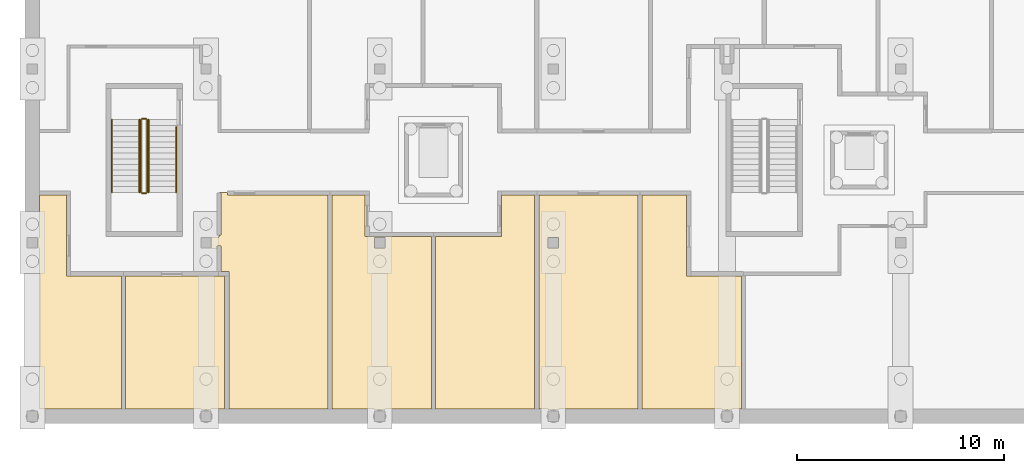
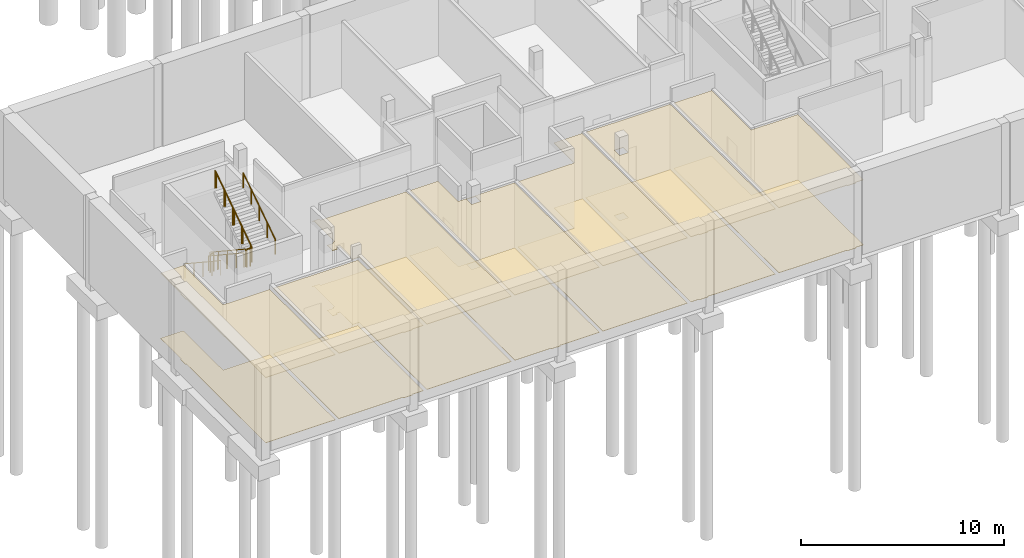
# One storey, part 19 of 33: 14 coverings, 8 railings.
"""IFC4 building model written with IfcOpenShell, lengths in metres."""

from ifc_helpers import new_model, si_unit, direction, frame, origin, origin_2d, place, context, subcontext, project, spatial, polyline, circle, outline, extrude, material, layer, layer_set, type_object, element, save


model = new_model("IFC4")

# Units and contexts
model_context = context("Model", 3, precision=1e-05, world=origin(), true_north=direction((0.0, 1.0)))
body_context = subcontext(model_context, "Body", "Model", "MODEL_VIEW")
ifc_project = project(units=[si_unit("LENGTHUNIT", "METRE"), si_unit("AREAUNIT", "SQUARE_METRE"), si_unit("VOLUMEUNIT", "CUBIC_METRE"), si_unit("PLANEANGLEUNIT", "RADIAN"), si_unit("MASSUNIT", "GRAM", prefix="KILO")], contexts=[model_context])

# Site, building, storey
site_placement = place(None, origin())
site = spatial("IfcSite", under=ifc_project, at=site_placement, CompositionType="ELEMENT")
building_placement = place(site_placement, origin())
building = spatial("IfcBuilding", under=site, at=building_placement, Name="Larchfold Concert Hall", CompositionType="ELEMENT")
storey_placement = place(building_placement, frame((0.0, 0.0, -5.0)))
storey = spatial("IfcBuildingStorey", under=building, at=storey_placement, Name="B1", CompositionType="ELEMENT", Elevation=-5.0)

# Coverings
ifc_material_1 = material(Name="Plasterboard ceiling lining")
ifc_layer_1 = layer(ifc_material_1, 0.030029296875)
ifc_layer_set_1 = layer_set([ifc_layer_1], Name="Plasterboard ceiling lining")
covering_type_1 = type_object("IfcCoveringType", Name="Ceiling suspended plasterboard 30", PredefinedType="CEILING", material=ifc_layer_set_1)
covering_1_placement = place(storey_placement, frame((0.0, 0.0, 3.91015625)))
element("IfcCovering", 1, at=covering_1_placement, inside=storey, type_object=covering_type_1, Name="Ceiling Practice Room 01", PredefinedType="CEILING", context=body_context, shape_type="SweptSolid", body=[
    extrude(outline(polyline([(0.9501953125, 9.25), (0.900146484375, 9.25), (0.900146484375, 8.75), (0.9501953125, 8.75), (0.9501953125, 0.9501953125), (4.89990234375, 0.9501953125), (4.89990234375, 7.39990234375), (2.25, 7.39990234375), (2.25, 11.2998046875), (0.9501953125, 11.2998046875), (0.9501953125, 9.25)])), origin(), (0.0, 0.0, 1.0), 0.030029296875),
])
covering_2_placement = place(storey_placement, frame((0.0, 0.0, 3.91015625)))
element("IfcCovering", 2, at=covering_2_placement, inside=storey, type_object=covering_type_1, Name="Ceiling Practice Room 04", PredefinedType="CEILING", context=body_context, shape_type="SweptSolid", body=[
    extrude(outline(polyline([(16.699951171875, 9.300048828125), (16.699951171875, 11.2998046875), (15.10009765625, 11.2998046875), (15.10009765625, 0.9501953125), (17.14990234375, 0.9501953125), (17.14990234375, 0.900146484375), (17.64990234375, 0.900146484375), (17.64990234375, 0.9501953125), (19.89990234375, 0.9501953125), (19.89990234375, 9.2998046875), (16.699951171875, 9.300048828125)]), holes=[polyline([(17.64990234375, 9.25), (17.64990234375, 8.75), (17.14990234375, 8.75), (17.14990234375, 9.25), (17.64990234375, 9.25)])]), origin(), (0.0, 0.0, 1.0), 0.030029296875),
])
covering_3_placement = place(storey_placement, frame((0.0, 0.0, 3.91015625)))
element("IfcCovering", 3, at=covering_3_placement, inside=storey, type_object=covering_type_1, Name="Ceiling Practice Room 07", PredefinedType="CEILING", context=body_context, shape_type="SweptSolid", body=[
    extrude(outline(polyline([(33.949951171875, 0.9501953125), (33.949951171875, 0.900146484375), (34.449951171875, 0.900146484375), (34.449951171875, 0.9501953125), (34.89990234375, 0.9501953125), (34.89990234375, 7.39990234375), (32.25, 7.39990234375), (32.25, 11.2998046875), (30.10009765625, 11.2998046875), (30.10009765625, 0.9501953125), (33.949951171875, 0.9501953125)])), origin(), (0.0, 0.0, 1.0), 0.030029296875),
])
covering_4_placement = place(storey_placement, frame((0.0, 0.0, 3.91015625)))
element("IfcCovering", 4, at=covering_4_placement, inside=storey, type_object=covering_type_1, Name="Ceiling Practice Room 02", PredefinedType="CEILING", context=body_context, shape_type="SweptSolid", body=[
    extrude(outline(polyline([(5.10009765625, 7.39990234375), (5.10009765625, 0.9501953125), (8.75, 0.9501953125), (8.75, 0.900146484375), (9.25, 0.900146484375), (9.25, 0.9501953125), (9.89990234375, 0.9501953125), (9.89990234375, 7.39990234375), (9.60009765625, 7.39990234375), (9.59912109375, 7.50048828125), (9.59912109375, 7.39990234375), (5.10009765625, 7.39990234375)])), origin(), (0.0, 0.0, 1.0), 0.030029296875),
])
covering_5_placement = place(storey_placement, frame((0.0, 0.0, 3.91015625)))
element("IfcCovering", 5, at=covering_5_placement, inside=storey, type_object=covering_type_1, Name="Ceiling Practice Room 03", PredefinedType="CEILING", context=body_context, shape_type="SweptSolid", body=[
    extrude(outline(polyline([(9.620361328125, 7.60009765625), (10.10009765625, 7.60009765625), (10.10009765625, 0.9501953125), (14.89990234375, 0.9501953125), (14.89990234375, 11.2998046875), (10.029052734375, 11.2998046875), (10.029052734375, 11.39990234375), (10.0, 11.4208984375), (9.650146484375, 11.4208984375), (9.623779296875, 11.405029296875), (9.72412109375, 11.40478515625), (9.72021484375, 9.369873046875), (9.619873046875, 9.3701171875), (9.61962890625, 9.27001953125), (9.24853515625, 9.27001953125), (9.21240234375, 9.2529296875), (9.25, 9.25), (9.25, 8.75), (9.211181640625, 8.75), (9.24365234375, 8.73046875), (9.51904296875, 8.730224609375), (9.518798828125, 8.830078125), (9.718994140625, 8.830078125), (9.719970703125, 7.60205078125), (9.620361328125, 7.60009765625)])), origin(), (0.0, 0.0, 1.0), 0.030029296875),
])
covering_6_placement = place(storey_placement, frame((0.0, 0.0, 3.91015625)))
element("IfcCovering", 6, at=covering_6_placement, inside=storey, type_object=covering_type_1, Name="Ceiling Practice Room 05", PredefinedType="CEILING", context=body_context, shape_type="SweptSolid", body=[
    extrude(outline(polyline([(23.300048828125, 9.2998046875), (20.10009765625, 9.2998046875), (20.10009765625, 0.9501953125), (24.89990234375, 0.9501953125), (24.89990234375, 11.2998046875), (23.300048828125, 11.2998046875), (23.300048828125, 9.2998046875)])), origin(), (0.0, 0.0, 1.0), 0.030029296875),
])
covering_7_placement = place(storey_placement, frame((0.0, 0.0, 3.91015625)))
element("IfcCovering", 7, at=covering_7_placement, inside=storey, type_object=covering_type_1, Name="Ceiling Practice Room 06", PredefinedType="CEILING", context=body_context, shape_type="SweptSolid", body=[
    extrude(outline(polyline([(25.550048828125, 0.900146484375), (26.050048828125, 0.900146484375), (26.050048828125, 0.9501953125), (29.89990234375, 0.9501953125), (29.89990234375, 11.2998046875), (25.10009765625, 11.2998046875), (25.10009765625, 0.9501953125), (25.550048828125, 0.9501953125), (25.550048828125, 0.900146484375)]), holes=[polyline([(26.050048828125, 9.25), (26.050048828125, 8.75), (25.550048828125, 8.75), (25.550048828125, 9.25), (26.050048828125, 9.25)])]), origin(), (0.0, 0.0, 1.0), 0.030029296875),
])
ifc_material_2 = material(Name="Linoleum sheet")
ifc_layer_2 = layer(ifc_material_2, 0.02001953125)
ifc_layer_set_2 = layer_set([ifc_layer_2], Name="Linoleum sheet")
covering_type_2 = type_object("IfcCoveringType", Name="Floor finish vinyl 20", PredefinedType="FLOORING", material=ifc_layer_set_2)
covering_8_placement = place(storey_placement, origin())
element("IfcCovering", 8, at=covering_8_placement, inside=storey, type_object=covering_type_2, Name="Floor finish Practice Room 01", PredefinedType="FLOORING", context=body_context, shape_type="SweptSolid", body=[
    extrude(outline(polyline([(0.9501953125, 9.25), (0.900146484375, 9.25), (0.900146484375, 8.75), (0.9501953125, 8.75), (0.9501953125, 0.9501953125), (4.89990234375, 0.9501953125), (4.89990234375, 7.39990234375), (2.25, 7.39990234375), (2.25, 11.2998046875), (0.9501953125, 11.2998046875), (0.9501953125, 9.25)])), origin(), (0.0, 0.0, 1.0), 0.02001953125),
])
covering_9_placement = place(storey_placement, origin())
element("IfcCovering", 9, at=covering_9_placement, inside=storey, type_object=covering_type_2, Name="Floor finish Practice Room 04", PredefinedType="FLOORING", context=body_context, shape_type="SweptSolid", body=[
    extrude(outline(polyline([(16.699951171875, 9.300048828125), (16.699951171875, 11.2998046875), (15.10009765625, 11.2998046875), (15.10009765625, 0.9501953125), (17.14990234375, 0.9501953125), (17.14990234375, 0.900146484375), (17.64990234375, 0.900146484375), (17.64990234375, 0.9501953125), (19.89990234375, 0.9501953125), (19.89990234375, 9.2998046875), (16.699951171875, 9.300048828125)]), holes=[polyline([(17.64990234375, 9.25), (17.64990234375, 8.75), (17.14990234375, 8.75), (17.14990234375, 9.25), (17.64990234375, 9.25)])]), origin(), (0.0, 0.0, 1.0), 0.02001953125),
])
covering_10_placement = place(storey_placement, origin())
element("IfcCovering", 10, at=covering_10_placement, inside=storey, type_object=covering_type_2, Name="Floor finish Practice Room 07", PredefinedType="FLOORING", context=body_context, shape_type="SweptSolid", body=[
    extrude(outline(polyline([(33.949951171875, 0.9501953125), (33.949951171875, 0.900146484375), (34.449951171875, 0.900146484375), (34.449951171875, 0.9501953125), (34.89990234375, 0.9501953125), (34.89990234375, 7.39990234375), (32.25, 7.39990234375), (32.25, 11.2998046875), (30.10009765625, 11.2998046875), (30.10009765625, 0.9501953125), (33.949951171875, 0.9501953125)])), origin(), (0.0, 0.0, 1.0), 0.02001953125),
])
covering_11_placement = place(storey_placement, origin())
element("IfcCovering", 11, at=covering_11_placement, inside=storey, type_object=covering_type_2, Name="Floor finish Practice Room 02", PredefinedType="FLOORING", context=body_context, shape_type="SweptSolid", body=[
    extrude(outline(polyline([(5.10009765625, 7.39990234375), (5.10009765625, 0.9501953125), (8.75, 0.9501953125), (8.75, 0.900146484375), (9.25, 0.900146484375), (9.25, 0.9501953125), (9.89990234375, 0.9501953125), (9.89990234375, 7.39990234375), (9.60009765625, 7.39990234375), (9.59912109375, 7.50048828125), (9.59912109375, 7.39990234375), (5.10009765625, 7.39990234375)])), origin(), (0.0, 0.0, 1.0), 0.02001953125),
])
covering_12_placement = place(storey_placement, origin())
element("IfcCovering", 12, at=covering_12_placement, inside=storey, type_object=covering_type_2, Name="Floor finish Practice Room 03", PredefinedType="FLOORING", context=body_context, shape_type="SweptSolid", body=[
    extrude(outline(polyline([(9.620361328125, 7.60009765625), (10.10009765625, 7.60009765625), (10.10009765625, 0.9501953125), (14.89990234375, 0.9501953125), (14.89990234375, 11.2998046875), (10.029052734375, 11.2998046875), (10.029052734375, 11.39990234375), (10.0, 11.4208984375), (9.650146484375, 11.4208984375), (9.623779296875, 11.405029296875), (9.72412109375, 11.40478515625), (9.72021484375, 9.369873046875), (9.619873046875, 9.3701171875), (9.61962890625, 9.27001953125), (9.24853515625, 9.27001953125), (9.21240234375, 9.2529296875), (9.25, 9.25), (9.25, 8.75), (9.211181640625, 8.75), (9.24365234375, 8.73046875), (9.51904296875, 8.730224609375), (9.518798828125, 8.830078125), (9.718994140625, 8.830078125), (9.719970703125, 7.60205078125), (9.620361328125, 7.60009765625)])), origin(), (0.0, 0.0, 1.0), 0.02001953125),
])
covering_13_placement = place(storey_placement, origin())
element("IfcCovering", 13, at=covering_13_placement, inside=storey, type_object=covering_type_2, Name="Floor finish Practice Room 05", PredefinedType="FLOORING", context=body_context, shape_type="SweptSolid", body=[
    extrude(outline(polyline([(23.300048828125, 9.2998046875), (20.10009765625, 9.2998046875), (20.10009765625, 0.9501953125), (24.89990234375, 0.9501953125), (24.89990234375, 11.2998046875), (23.300048828125, 11.2998046875), (23.300048828125, 9.2998046875)])), origin(), (0.0, 0.0, 1.0), 0.02001953125),
])
covering_14_placement = place(storey_placement, origin())
element("IfcCovering", 14, at=covering_14_placement, inside=storey, type_object=covering_type_2, Name="Floor finish Practice Room 06", PredefinedType="FLOORING", context=body_context, shape_type="SweptSolid", body=[
    extrude(outline(polyline([(25.550048828125, 0.900146484375), (26.050048828125, 0.900146484375), (26.050048828125, 0.9501953125), (29.89990234375, 0.9501953125), (29.89990234375, 11.2998046875), (25.10009765625, 11.2998046875), (25.10009765625, 0.9501953125), (25.550048828125, 0.9501953125), (25.550048828125, 0.900146484375)]), holes=[polyline([(26.050048828125, 9.25), (26.050048828125, 8.75), (25.550048828125, 8.75), (25.550048828125, 9.25), (26.050048828125, 9.25)])]), origin(), (0.0, 0.0, 1.0), 0.02001953125),
])

# Railings
ifc_material_3 = material(Name="Stainless steel balustrade", Category="steel")
railing_type_1 = type_object("IfcRailingType", Name="Stair guard 1100", PredefinedType="GUARDRAIL", material=ifc_material_3)
railing_1_placement = place(storey_placement, frame((5.849853515625, 14.949951171875, 0.178466796875)))
element("IfcRailing", 15, at=railing_1_placement, inside=storey, type_object=railing_type_1, Name="Guard GR0045", PredefinedType="GUARDRAIL", context=body_context, shape_type="SweptSolid", body=[
    extrude(circle(Radius=0.02392578125, at=origin_2d()), frame((0.0, 0.0, 1.076171875), z_axis=(0.0, -0.834070780157, 0.551657442339), x_axis=(1.0, 0.0, 0.0)), (0.0, 0.0, 1.0), 4.208251953125),
    extrude(circle(Radius=0.02099609375, at=origin_2d()), origin(), (0.0, 0.0, 1.0), 1.052001953125),
    extrude(circle(Radius=0.02099609375, at=origin_2d()), frame((0.0, -0.87744140625, 0.580322265625)), (0.0, 0.0, 1.0), 1.052001953125),
    extrude(circle(Radius=0.02099609375, at=origin_2d()), frame((0.0, -1.7548828125, 1.16064453125)), (0.0, 0.0, 1.0), 1.052001953125),
    extrude(circle(Radius=0.02099609375, at=origin_2d()), frame((0.0, -2.632568359375, 1.7412109375)), (0.0, 0.0, 1.0), 1.052001953125),
    extrude(circle(Radius=0.02099609375, at=origin_2d()), frame((0.0, -3.510009765625, 2.321533203125)), (0.0, 0.0, 1.0), 1.052001953125),
])
railing_2_placement = place(storey_placement, frame((5.89990234375, 11.389892578125, 2.5)))
element("IfcRailing", 16, at=railing_2_placement, inside=storey, type_object=railing_type_1, Name="Guard GR0046", PredefinedType="GUARDRAIL", context=body_context, shape_type="SweptSolid", body=[
    extrude(circle(Radius=0.02392578125, at=origin_2d()), frame((0.0, 0.0, 1.076171875), z_axis=(1.0, 0.0, 0.0), x_axis=(0.0, 1.0, 0.0)), (0.0, 0.0, 1.0), 0.199951171875),
    extrude(circle(Radius=0.02099609375, at=origin_2d()), origin(), (0.0, 0.0, 1.0), 1.052001953125),
    extrude(circle(Radius=0.02099609375, at=origin_2d()), frame((0.199951171875, 0.0, 0.0)), (0.0, 0.0, 1.0), 1.052001953125),
])
railing_3_placement = place(storey_placement, frame((6.14990234375, 11.43994140625, 2.678466796875)))
element("IfcRailing", 17, at=railing_3_placement, inside=storey, type_object=railing_type_1, Name="Guard GR0047", PredefinedType="GUARDRAIL", context=body_context, shape_type="SweptSolid", body=[
    extrude(circle(Radius=0.02392578125, at=origin_2d()), frame((0.0, 0.0, 1.076171875), z_axis=(0.0, 0.834070780157, 0.551657442339), x_axis=(-1.0, 0.0, 0.0)), (0.0, 0.0, 1.0), 4.208251953125),
    extrude(circle(Radius=0.02099609375, at=origin_2d()), origin(), (0.0, 0.0, 1.0), 1.052001953125),
    extrude(circle(Radius=0.02099609375, at=origin_2d()), frame((0.0, 0.87744140625, 0.580322265625)), (0.0, 0.0, 1.0), 1.052001953125),
    extrude(circle(Radius=0.02099609375, at=origin_2d()), frame((0.0, 1.7548828125, 1.16064453125)), (0.0, 0.0, 1.0), 1.052001953125),
    extrude(circle(Radius=0.02099609375, at=origin_2d()), frame((0.0, 2.632568359375, 1.7412109375)), (0.0, 0.0, 1.0), 1.052001953125),
    extrude(circle(Radius=0.02099609375, at=origin_2d()), frame((0.0, 3.510009765625, 2.321533203125)), (0.0, 0.0, 1.0), 1.052001953125),
])
railing_4_placement = place(storey_placement, frame((5.89990234375, 15.0, 0.0)))
element("IfcRailing", 18, at=railing_4_placement, inside=storey, type_object=railing_type_1, Name="Guard GR0048", PredefinedType="GUARDRAIL", context=body_context, shape_type="SweptSolid", body=[
    extrude(circle(Radius=0.02392578125, at=origin_2d()), frame((0.0, 0.0, 1.076171875), z_axis=(1.0, 0.0, 0.0), x_axis=(0.0, 1.0, 0.0)), (0.0, 0.0, 1.0), 0.199951171875),
    extrude(circle(Radius=0.02099609375, at=origin_2d()), origin(), (0.0, 0.0, 1.0), 1.052001953125),
    extrude(circle(Radius=0.02099609375, at=origin_2d()), frame((0.199951171875, 0.0, 0.0)), (0.0, 0.0, 1.0), 1.052001953125),
])
ifc_material_4 = material(Name="Stainless steel handrail", Category="steel")
railing_type_2 = type_object("IfcRailingType", Name="Stair handrail 900", PredefinedType="HANDRAIL", material=ifc_material_4)
railing_5_placement = place(storey_placement, frame((4.449951171875, 14.949951171875, 0.178466796875)))
element("IfcRailing", 19, at=railing_5_placement, inside=storey, type_object=railing_type_2, Name="Handrail HR0045", PredefinedType="HANDRAIL", context=body_context, shape_type="SweptSolid", body=[
    extrude(circle(Radius=0.02392578125, at=origin_2d()), frame((0.0, 0.0, 0.8759765625), z_axis=(0.0, -0.834070780157, 0.551657442339), x_axis=(1.0, 0.0, 0.0)), (0.0, 0.0, 1.0), 4.208251953125),
    extrude(circle(Radius=0.02099609375, at=origin_2d()), origin(), (0.0, 0.0, 1.0), 0.851806640625),
    extrude(circle(Radius=0.02099609375, at=origin_2d()), frame((0.0, -0.87744140625, 0.580322265625)), (0.0, 0.0, 1.0), 0.851806640625),
    extrude(circle(Radius=0.02099609375, at=origin_2d()), frame((0.0, -1.7548828125, 1.16064453125)), (0.0, 0.0, 1.0), 0.851806640625),
    extrude(circle(Radius=0.02099609375, at=origin_2d()), frame((0.0, -2.632568359375, 1.7412109375)), (0.0, 0.0, 1.0), 0.851806640625),
    extrude(circle(Radius=0.02099609375, at=origin_2d()), frame((0.0, -3.510009765625, 2.321533203125)), (0.0, 0.0, 1.0), 0.851806640625),
])
railing_6_placement = place(storey_placement, frame((7.5498046875, 11.43994140625, 2.678466796875)))
element("IfcRailing", 20, at=railing_6_placement, inside=storey, type_object=railing_type_2, Name="Handrail HR0046", PredefinedType="HANDRAIL", context=body_context, shape_type="SweptSolid", body=[
    extrude(circle(Radius=0.02392578125, at=origin_2d()), frame((0.0, 0.0, 0.8759765625), z_axis=(0.0, 0.834076964798, 0.551648091443), x_axis=(-1.0, 0.0, 0.0)), (0.0, 0.0, 1.0), 3.788818359375),
    extrude(circle(Radius=0.02099609375, at=origin_2d()), origin(), (0.0, 0.0, 1.0), 0.851806640625),
    extrude(circle(Radius=0.02099609375, at=origin_2d()), frame((0.0, 0.7900390625, 0.5224609375)), (0.0, 0.0, 1.0), 0.851806640625),
    extrude(circle(Radius=0.02099609375, at=origin_2d()), frame((0.0, 1.580078125, 1.044921875)), (0.0, 0.0, 1.0), 0.851806640625),
    extrude(circle(Radius=0.02099609375, at=origin_2d()), frame((0.0, 2.3701171875, 1.567626953125)), (0.0, 0.0, 1.0), 0.851806640625),
    extrude(circle(Radius=0.02099609375, at=origin_2d()), frame((0.0, 3.16015625, 2.090087890625)), (0.0, 0.0, 1.0), 0.851806640625),
])
railing_7_placement = place(storey_placement, frame((5.77978515625, 14.949951171875, 0.178466796875)))
element("IfcRailing", 21, at=railing_7_placement, inside=storey, type_object=railing_type_2, Name="Handrail HR0047", PredefinedType="HANDRAIL", context=body_context, shape_type="SweptSolid", body=[
    extrude(circle(Radius=0.02392578125, at=origin_2d()), frame((0.0, 0.0, 0.8759765625), z_axis=(0.0, -0.834070780157, 0.551657442339), x_axis=(1.0, 0.0, 0.0)), (0.0, 0.0, 1.0), 4.208251953125),
    extrude(circle(Radius=0.02099609375, at=origin_2d()), origin(), (0.0, 0.0, 1.0), 0.851806640625),
    extrude(circle(Radius=0.02099609375, at=origin_2d()), frame((0.0, -0.87744140625, 0.580322265625)), (0.0, 0.0, 1.0), 0.851806640625),
    extrude(circle(Radius=0.02099609375, at=origin_2d()), frame((0.0, -1.7548828125, 1.16064453125)), (0.0, 0.0, 1.0), 0.851806640625),
    extrude(circle(Radius=0.02099609375, at=origin_2d()), frame((0.0, -2.632568359375, 1.7412109375)), (0.0, 0.0, 1.0), 0.851806640625),
    extrude(circle(Radius=0.02099609375, at=origin_2d()), frame((0.0, -3.510009765625, 2.321533203125)), (0.0, 0.0, 1.0), 0.851806640625),
])
railing_8_placement = place(storey_placement, frame((6.219970703125, 11.43994140625, 2.678466796875)))
element("IfcRailing", 22, at=railing_8_placement, inside=storey, type_object=railing_type_2, Name="Handrail HR0048", PredefinedType="HANDRAIL", context=body_context, shape_type="SweptSolid", body=[
    extrude(circle(Radius=0.02392578125, at=origin_2d()), frame((0.0, 0.0, 0.8759765625), z_axis=(0.0, 0.834070780157, 0.551657442339), x_axis=(-1.0, 0.0, 0.0)), (0.0, 0.0, 1.0), 4.208251953125),
    extrude(circle(Radius=0.02099609375, at=origin_2d()), origin(), (0.0, 0.0, 1.0), 0.851806640625),
    extrude(circle(Radius=0.02099609375, at=origin_2d()), frame((0.0, 0.87744140625, 0.580322265625)), (0.0, 0.0, 1.0), 0.851806640625),
    extrude(circle(Radius=0.02099609375, at=origin_2d()), frame((0.0, 1.7548828125, 1.16064453125)), (0.0, 0.0, 1.0), 0.851806640625),
    extrude(circle(Radius=0.02099609375, at=origin_2d()), frame((0.0, 2.632568359375, 1.7412109375)), (0.0, 0.0, 1.0), 0.851806640625),
    extrude(circle(Radius=0.02099609375, at=origin_2d()), frame((0.0, 3.510009765625, 2.321533203125)), (0.0, 0.0, 1.0), 0.851806640625),
])

save(model, "model.ifc")
